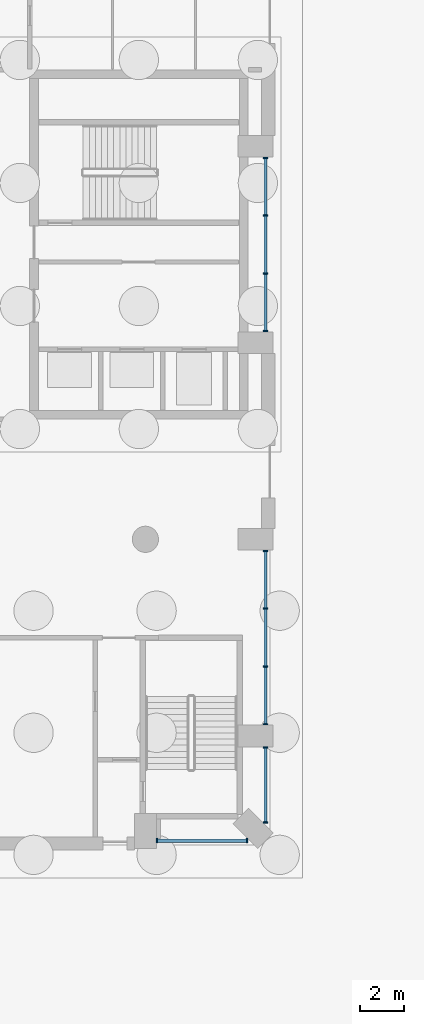
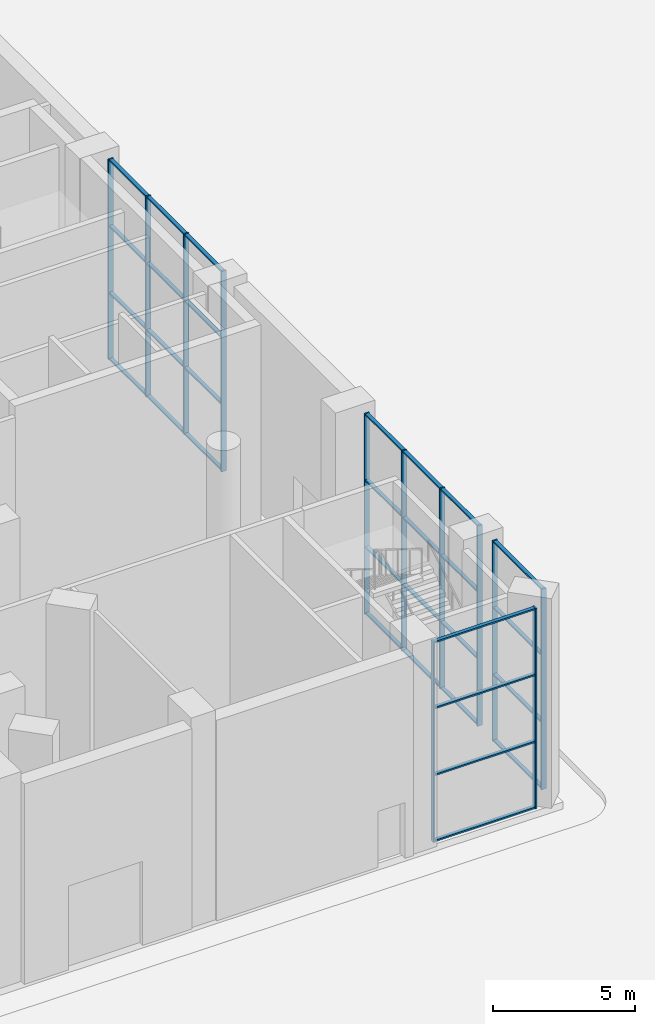
# One storey, part 5 of 25: 44 members, 4 elements without a shape of their own.
"""IFC4 building model written with IfcOpenShell, lengths in metres."""

from ifc_helpers import new_model, si_unit, direction, frame, origin, origin_2d, place, context, subcontext, project, spatial, rectangle, extrude, material, material_profile, profile_set, type_object, element, aggregate, save


model = new_model("IFC4")

# Units and contexts
model_context = context("Model", 3, precision=1e-05, world=origin(), true_north=direction((0.0, 1.0)))
body_context = subcontext(model_context, "Body", "Model", "MODEL_VIEW")
ifc_project = project(units=[si_unit("LENGTHUNIT", "METRE"), si_unit("AREAUNIT", "SQUARE_METRE"), si_unit("VOLUMEUNIT", "CUBIC_METRE"), si_unit("PLANEANGLEUNIT", "RADIAN"), si_unit("MASSUNIT", "GRAM", prefix="KILO")], contexts=[model_context])

# Site, building, storey
site_placement = place(None, origin())
site = spatial("IfcSite", under=ifc_project, at=site_placement, CompositionType="ELEMENT")
building_placement = place(site_placement, origin())
building = spatial("IfcBuilding", under=site, at=building_placement, Name="Cypress Arch Tower", CompositionType="ELEMENT")
storey_placement = place(building_placement, origin())
storey = spatial("IfcBuildingStorey", under=building, at=storey_placement, Name="L00", CompositionType="ELEMENT", Elevation=0.0)

# Curtain wall, members
ifc_material_1 = material(Name="Anodised aluminium, bronze finish, clear laminated low-emissivity double glazing", Category="aluminium")
curtain_wall_type = type_object("IfcCurtainWallType", Name="Curtain wall CW1 ground storefront", PredefinedType="NOTDEFINED", material=ifc_material_1)
curtain_wall_1_placement = place(storey_placement, origin())
curtain_wall_1 = element("IfcCurtainWall", 1, at=curtain_wall_1_placement, inside=storey, type_object=curtain_wall_type, Name="Curtain wall L00 P00.4.1", PredefinedType="NOTDEFINED")
ifc_material_2 = material(Name="Anodised aluminium, bronze finish", Category="aluminium")
ifc_material_profile_1 = material_profile(ifc_material_2, rectangle(XDim=0.199951171875, YDim=0.06494140625, at=origin_2d()), Name="Mullion 65x200")
ifc_profile_set_1 = profile_set([ifc_material_profile_1], Name="Anodised aluminium, bronze finish")
member_type_1 = type_object("IfcMemberType", Name="Mullion CW1 65x200", PredefinedType="MULLION", material=ifc_profile_set_1)
member_1_placement = place(storey_placement, frame((33.83251953125, -27.300048828125, 0.0), z_axis=(0.0, 0.0, 1.0), x_axis=(0.0, 1.0, 0.0)))
member_1 = element("IfcMember", 2, at=member_1_placement, type_object=member_type_1, Name="CW1 mullion 1", PredefinedType="MULLION", context=body_context, shape_type="SweptSolid", body=[
    extrude(rectangle(XDim=0.199951171875, YDim=0.06494140625, at=origin_2d()), origin(), (0.0, 0.0, 1.0), 8.60009765625),
])
member_2_placement = place(storey_placement, frame((37.96044921875, -27.300048828125, 0.0), z_axis=(0.0, 0.0, 1.0), x_axis=(0.0, 1.0, 0.0)))
member_2 = element("IfcMember", 3, at=member_2_placement, type_object=member_type_1, Name="CW1 mullion 2", PredefinedType="MULLION", context=body_context, shape_type="SweptSolid", body=[
    extrude(rectangle(XDim=0.199951171875, YDim=0.06494140625, at=origin_2d()), origin(), (0.0, 0.0, 1.0), 8.60009765625),
])

curtain_wall_2_placement = place(storey_placement, origin())
curtain_wall_2 = element("IfcCurtainWall", 4, at=curtain_wall_2_placement, inside=storey, type_object=curtain_wall_type, Name="Curtain wall L00 P01.0.1", PredefinedType="NOTDEFINED")
member_3_placement = place(storey_placement, frame((38.800048828125, -26.46044921875, 0.0), z_axis=(0.0, 0.0, 1.0), x_axis=(-1.0, 0.0, 0.0)))
member_3 = element("IfcMember", 5, at=member_3_placement, type_object=member_type_1, Name="CW1 mullion 1", PredefinedType="MULLION", context=body_context, shape_type="SweptSolid", body=[
    extrude(rectangle(XDim=0.199951171875, YDim=0.06494140625, at=origin_2d()), origin(), (0.0, 0.0, 1.0), 8.60009765625),
])
member_4_placement = place(storey_placement, frame((38.800048828125, -23.032470703125, 0.0), z_axis=(0.0, 0.0, 1.0), x_axis=(-1.0, 0.0, 0.0)))
member_4 = element("IfcMember", 6, at=member_4_placement, type_object=member_type_1, Name="CW1 mullion 2", PredefinedType="MULLION", context=body_context, shape_type="SweptSolid", body=[
    extrude(rectangle(XDim=0.199951171875, YDim=0.06494140625, at=origin_2d()), origin(), (0.0, 0.0, 1.0), 8.60009765625),
])

curtain_wall_3_placement = place(storey_placement, origin())
curtain_wall_3 = element("IfcCurtainWall", 7, at=curtain_wall_3_placement, inside=storey, type_object=curtain_wall_type, Name="Curtain wall L00 P01.1.1", PredefinedType="NOTDEFINED")
member_5_placement = place(storey_placement, frame((38.800048828125, -21.967529296875, 0.0), z_axis=(0.0, 0.0, 1.0), x_axis=(-1.0, 0.0, 0.0)))
member_5 = element("IfcMember", 8, at=member_5_placement, type_object=member_type_1, Name="CW1 mullion 1", PredefinedType="MULLION", context=body_context, shape_type="SweptSolid", body=[
    extrude(rectangle(XDim=0.199951171875, YDim=0.06494140625, at=origin_2d()), origin(), (0.0, 0.0, 1.0), 8.60009765625),
])
member_6_placement = place(storey_placement, frame((38.800048828125, -19.333251953125, 0.0), z_axis=(0.0, 0.0, 1.0), x_axis=(-1.0, 0.0, 0.0)))
member_6 = element("IfcMember", 9, at=member_6_placement, type_object=member_type_1, Name="CW1 mullion 2", PredefinedType="MULLION", context=body_context, shape_type="SweptSolid", body=[
    extrude(rectangle(XDim=0.199951171875, YDim=0.06494140625, at=origin_2d()), origin(), (0.0, 0.0, 1.0), 8.60009765625),
])
member_7_placement = place(storey_placement, frame((38.800048828125, -16.666748046875, 0.0), z_axis=(0.0, 0.0, 1.0), x_axis=(-1.0, 0.0, 0.0)))
member_7 = element("IfcMember", 10, at=member_7_placement, type_object=member_type_1, Name="CW1 mullion 3", PredefinedType="MULLION", context=body_context, shape_type="SweptSolid", body=[
    extrude(rectangle(XDim=0.199951171875, YDim=0.06494140625, at=origin_2d()), origin(), (0.0, 0.0, 1.0), 8.60009765625),
])
member_8_placement = place(storey_placement, frame((38.800048828125, -14.032470703125, 0.0), z_axis=(0.0, 0.0, 1.0), x_axis=(-1.0, 0.0, 0.0)))
member_8 = element("IfcMember", 11, at=member_8_placement, type_object=member_type_1, Name="CW1 mullion 4", PredefinedType="MULLION", context=body_context, shape_type="SweptSolid", body=[
    extrude(rectangle(XDim=0.199951171875, YDim=0.06494140625, at=origin_2d()), origin(), (0.0, 0.0, 1.0), 8.60009765625),
])

curtain_wall_4_placement = place(storey_placement, origin())
curtain_wall_4 = element("IfcCurtainWall", 12, at=curtain_wall_4_placement, inside=storey, type_object=curtain_wall_type, Name="Curtain wall L00 P01.3.1", PredefinedType="NOTDEFINED")
member_9_placement = place(storey_placement, frame((38.800048828125, -3.967529296875, 0.0), z_axis=(0.0, 0.0, 1.0), x_axis=(-1.0, 0.0, 0.0)))
member_9 = element("IfcMember", 13, at=member_9_placement, type_object=member_type_1, Name="CW1 mullion 1", PredefinedType="MULLION", context=body_context, shape_type="SweptSolid", body=[
    extrude(rectangle(XDim=0.199951171875, YDim=0.06494140625, at=origin_2d()), origin(), (0.0, 0.0, 1.0), 8.60009765625),
])
member_10_placement = place(storey_placement, frame((38.800048828125, -1.333251953125, 0.0), z_axis=(0.0, 0.0, 1.0), x_axis=(-1.0, 0.0, 0.0)))
member_10 = element("IfcMember", 14, at=member_10_placement, type_object=member_type_1, Name="CW1 mullion 2", PredefinedType="MULLION", context=body_context, shape_type="SweptSolid", body=[
    extrude(rectangle(XDim=0.199951171875, YDim=0.06494140625, at=origin_2d()), origin(), (0.0, 0.0, 1.0), 8.60009765625),
])
member_11_placement = place(storey_placement, frame((38.800048828125, 1.333251953125, 0.0), z_axis=(0.0, 0.0, 1.0), x_axis=(-1.0, 0.0, 0.0)))
member_11 = element("IfcMember", 15, at=member_11_placement, type_object=member_type_1, Name="CW1 mullion 3", PredefinedType="MULLION", context=body_context, shape_type="SweptSolid", body=[
    extrude(rectangle(XDim=0.199951171875, YDim=0.06494140625, at=origin_2d()), origin(), (0.0, 0.0, 1.0), 8.60009765625),
])
member_12_placement = place(storey_placement, frame((38.800048828125, 3.967529296875, 0.0), z_axis=(0.0, 0.0, 1.0), x_axis=(-1.0, 0.0, 0.0)))
member_12 = element("IfcMember", 16, at=member_12_placement, type_object=member_type_1, Name="CW1 mullion 4", PredefinedType="MULLION", context=body_context, shape_type="SweptSolid", body=[
    extrude(rectangle(XDim=0.199951171875, YDim=0.06494140625, at=origin_2d()), origin(), (0.0, 0.0, 1.0), 8.60009765625),
])

# Member
ifc_material_3 = material(Name="Anodised aluminium, bronze finish", Category="aluminium")
ifc_material_profile_2 = material_profile(ifc_material_3, rectangle(XDim=0.14990234375, YDim=0.06494140625, at=origin_2d()), Name="Transom 65x150")
ifc_profile_set_2 = profile_set([ifc_material_profile_2], Name="Anodised aluminium, bronze finish")
member_type_2 = type_object("IfcMemberType", Name="Transom CW1 65x150", PredefinedType="USERDEFINED", material=ifc_profile_set_2)
member_13_placement = place(storey_placement, frame((33.864990234375, -27.300048828125, 0.032470703125), z_axis=(1.0, 0.0, 0.0), x_axis=(0.0, 1.0, 0.0)))
member_13 = element("IfcMember", 17, at=member_13_placement, type_object=member_type_2, Name="CW1 transom 1.1", ObjectType="TRANSOM", PredefinedType="USERDEFINED", context=body_context, shape_type="SweptSolid", body=[
    extrude(rectangle(XDim=0.14990234375, YDim=0.06494140625, at=origin_2d()), origin(), (0.0, 0.0, 1.0), 4.06298828125),
])

member_14_placement = place(storey_placement, frame((33.864990234375, -27.300048828125, 2.86669921875), z_axis=(1.0, 0.0, 0.0), x_axis=(0.0, 1.0, 0.0)))
member_14 = element("IfcMember", 18, at=member_14_placement, type_object=member_type_2, Name="CW1 transom 1.2", ObjectType="TRANSOM", PredefinedType="USERDEFINED", context=body_context, shape_type="SweptSolid", body=[
    extrude(rectangle(XDim=0.14990234375, YDim=0.06494140625, at=origin_2d()), origin(), (0.0, 0.0, 1.0), 4.06298828125),
])

member_15_placement = place(storey_placement, frame((33.864990234375, -27.300048828125, 5.7333984375), z_axis=(1.0, 0.0, 0.0), x_axis=(0.0, 1.0, 0.0)))
member_15 = element("IfcMember", 19, at=member_15_placement, type_object=member_type_2, Name="CW1 transom 1.3", ObjectType="TRANSOM", PredefinedType="USERDEFINED", context=body_context, shape_type="SweptSolid", body=[
    extrude(rectangle(XDim=0.14990234375, YDim=0.06494140625, at=origin_2d()), origin(), (0.0, 0.0, 1.0), 4.06298828125),
])

member_16_placement = place(storey_placement, frame((33.864990234375, -27.300048828125, 8.5673828125), z_axis=(1.0, 0.0, 0.0), x_axis=(0.0, 1.0, 0.0)))
member_16 = element("IfcMember", 20, at=member_16_placement, type_object=member_type_2, Name="CW1 transom 1.4", ObjectType="TRANSOM", PredefinedType="USERDEFINED", context=body_context, shape_type="SweptSolid", body=[
    extrude(rectangle(XDim=0.14990234375, YDim=0.06494140625, at=origin_2d()), origin(), (0.0, 0.0, 1.0), 4.06298828125),
])

aggregate(curtain_wall_1, [member_1, member_2, member_13, member_14, member_15, member_16])

member_17_placement = place(storey_placement, frame((38.800048828125, -26.427978515625, 0.032470703125), z_axis=(0.0, 1.0, 0.0), x_axis=(-1.0, 0.0, 0.0)))
member_17 = element("IfcMember", 21, at=member_17_placement, type_object=member_type_2, Name="CW1 transom 1.1", ObjectType="TRANSOM", PredefinedType="USERDEFINED", context=body_context, shape_type="SweptSolid", body=[
    extrude(rectangle(XDim=0.14990234375, YDim=0.06494140625, at=origin_2d()), origin(), (0.0, 0.0, 1.0), 3.363037109375),
])

member_18_placement = place(storey_placement, frame((38.800048828125, -26.427978515625, 2.86669921875), z_axis=(0.0, 1.0, 0.0), x_axis=(-1.0, 0.0, 0.0)))
member_18 = element("IfcMember", 22, at=member_18_placement, type_object=member_type_2, Name="CW1 transom 1.2", ObjectType="TRANSOM", PredefinedType="USERDEFINED", context=body_context, shape_type="SweptSolid", body=[
    extrude(rectangle(XDim=0.14990234375, YDim=0.06494140625, at=origin_2d()), origin(), (0.0, 0.0, 1.0), 3.363037109375),
])

member_19_placement = place(storey_placement, frame((38.800048828125, -26.427978515625, 5.7333984375), z_axis=(0.0, 1.0, 0.0), x_axis=(-1.0, 0.0, 0.0)))
member_19 = element("IfcMember", 23, at=member_19_placement, type_object=member_type_2, Name="CW1 transom 1.3", ObjectType="TRANSOM", PredefinedType="USERDEFINED", context=body_context, shape_type="SweptSolid", body=[
    extrude(rectangle(XDim=0.14990234375, YDim=0.06494140625, at=origin_2d()), origin(), (0.0, 0.0, 1.0), 3.363037109375),
])

member_20_placement = place(storey_placement, frame((38.800048828125, -26.427978515625, 8.5673828125), z_axis=(0.0, 1.0, 0.0), x_axis=(-1.0, 0.0, 0.0)))
member_20 = element("IfcMember", 24, at=member_20_placement, type_object=member_type_2, Name="CW1 transom 1.4", ObjectType="TRANSOM", PredefinedType="USERDEFINED", context=body_context, shape_type="SweptSolid", body=[
    extrude(rectangle(XDim=0.14990234375, YDim=0.06494140625, at=origin_2d()), origin(), (0.0, 0.0, 1.0), 3.363037109375),
])

aggregate(curtain_wall_2, [member_3, member_4, member_17, member_18, member_19, member_20])

member_21_placement = place(storey_placement, frame((38.800048828125, -21.93505859375, 0.032470703125), z_axis=(0.0, 1.0, 0.0), x_axis=(-1.0, 0.0, 0.0)))
member_21 = element("IfcMember", 25, at=member_21_placement, type_object=member_type_2, Name="CW1 transom 1.1", ObjectType="TRANSOM", PredefinedType="USERDEFINED", context=body_context, shape_type="SweptSolid", body=[
    extrude(rectangle(XDim=0.14990234375, YDim=0.06494140625, at=origin_2d()), origin(), (0.0, 0.0, 1.0), 2.5693359375),
])

member_22_placement = place(storey_placement, frame((38.800048828125, -21.93505859375, 2.86669921875), z_axis=(0.0, 1.0, 0.0), x_axis=(-1.0, 0.0, 0.0)))
member_22 = element("IfcMember", 26, at=member_22_placement, type_object=member_type_2, Name="CW1 transom 1.2", ObjectType="TRANSOM", PredefinedType="USERDEFINED", context=body_context, shape_type="SweptSolid", body=[
    extrude(rectangle(XDim=0.14990234375, YDim=0.06494140625, at=origin_2d()), origin(), (0.0, 0.0, 1.0), 2.5693359375),
])

member_23_placement = place(storey_placement, frame((38.800048828125, -21.93505859375, 5.7333984375), z_axis=(0.0, 1.0, 0.0), x_axis=(-1.0, 0.0, 0.0)))
member_23 = element("IfcMember", 27, at=member_23_placement, type_object=member_type_2, Name="CW1 transom 1.3", ObjectType="TRANSOM", PredefinedType="USERDEFINED", context=body_context, shape_type="SweptSolid", body=[
    extrude(rectangle(XDim=0.14990234375, YDim=0.06494140625, at=origin_2d()), origin(), (0.0, 0.0, 1.0), 2.5693359375),
])

member_24_placement = place(storey_placement, frame((38.800048828125, -21.93505859375, 8.5673828125), z_axis=(0.0, 1.0, 0.0), x_axis=(-1.0, 0.0, 0.0)))
member_24 = element("IfcMember", 28, at=member_24_placement, type_object=member_type_2, Name="CW1 transom 1.4", ObjectType="TRANSOM", PredefinedType="USERDEFINED", context=body_context, shape_type="SweptSolid", body=[
    extrude(rectangle(XDim=0.14990234375, YDim=0.06494140625, at=origin_2d()), origin(), (0.0, 0.0, 1.0), 2.5693359375),
])

member_25_placement = place(storey_placement, frame((38.800048828125, -19.30078125, 0.032470703125), z_axis=(0.0, 1.0, 0.0), x_axis=(-1.0, 0.0, 0.0)))
member_25 = element("IfcMember", 29, at=member_25_placement, type_object=member_type_2, Name="CW1 transom 2.1", ObjectType="TRANSOM", PredefinedType="USERDEFINED", context=body_context, shape_type="SweptSolid", body=[
    extrude(rectangle(XDim=0.14990234375, YDim=0.06494140625, at=origin_2d()), origin(), (0.0, 0.0, 1.0), 2.6015625),
])

member_26_placement = place(storey_placement, frame((38.800048828125, -19.30078125, 2.86669921875), z_axis=(0.0, 1.0, 0.0), x_axis=(-1.0, 0.0, 0.0)))
member_26 = element("IfcMember", 30, at=member_26_placement, type_object=member_type_2, Name="CW1 transom 2.2", ObjectType="TRANSOM", PredefinedType="USERDEFINED", context=body_context, shape_type="SweptSolid", body=[
    extrude(rectangle(XDim=0.14990234375, YDim=0.06494140625, at=origin_2d()), origin(), (0.0, 0.0, 1.0), 2.6015625),
])

member_27_placement = place(storey_placement, frame((38.800048828125, -19.30078125, 5.7333984375), z_axis=(0.0, 1.0, 0.0), x_axis=(-1.0, 0.0, 0.0)))
member_27 = element("IfcMember", 31, at=member_27_placement, type_object=member_type_2, Name="CW1 transom 2.3", ObjectType="TRANSOM", PredefinedType="USERDEFINED", context=body_context, shape_type="SweptSolid", body=[
    extrude(rectangle(XDim=0.14990234375, YDim=0.06494140625, at=origin_2d()), origin(), (0.0, 0.0, 1.0), 2.6015625),
])

member_28_placement = place(storey_placement, frame((38.800048828125, -19.30078125, 8.5673828125), z_axis=(0.0, 1.0, 0.0), x_axis=(-1.0, 0.0, 0.0)))
member_28 = element("IfcMember", 32, at=member_28_placement, type_object=member_type_2, Name="CW1 transom 2.4", ObjectType="TRANSOM", PredefinedType="USERDEFINED", context=body_context, shape_type="SweptSolid", body=[
    extrude(rectangle(XDim=0.14990234375, YDim=0.06494140625, at=origin_2d()), origin(), (0.0, 0.0, 1.0), 2.6015625),
])

member_29_placement = place(storey_placement, frame((38.800048828125, -16.63427734375, 0.032470703125), z_axis=(0.0, 1.0, 0.0), x_axis=(-1.0, 0.0, 0.0)))
member_29 = element("IfcMember", 33, at=member_29_placement, type_object=member_type_2, Name="CW1 transom 3.1", ObjectType="TRANSOM", PredefinedType="USERDEFINED", context=body_context, shape_type="SweptSolid", body=[
    extrude(rectangle(XDim=0.14990234375, YDim=0.06494140625, at=origin_2d()), origin(), (0.0, 0.0, 1.0), 2.5693359375),
])

member_30_placement = place(storey_placement, frame((38.800048828125, -16.63427734375, 2.86669921875), z_axis=(0.0, 1.0, 0.0), x_axis=(-1.0, 0.0, 0.0)))
member_30 = element("IfcMember", 34, at=member_30_placement, type_object=member_type_2, Name="CW1 transom 3.2", ObjectType="TRANSOM", PredefinedType="USERDEFINED", context=body_context, shape_type="SweptSolid", body=[
    extrude(rectangle(XDim=0.14990234375, YDim=0.06494140625, at=origin_2d()), origin(), (0.0, 0.0, 1.0), 2.5693359375),
])

member_31_placement = place(storey_placement, frame((38.800048828125, -16.63427734375, 5.7333984375), z_axis=(0.0, 1.0, 0.0), x_axis=(-1.0, 0.0, 0.0)))
member_31 = element("IfcMember", 35, at=member_31_placement, type_object=member_type_2, Name="CW1 transom 3.3", ObjectType="TRANSOM", PredefinedType="USERDEFINED", context=body_context, shape_type="SweptSolid", body=[
    extrude(rectangle(XDim=0.14990234375, YDim=0.06494140625, at=origin_2d()), origin(), (0.0, 0.0, 1.0), 2.5693359375),
])

member_32_placement = place(storey_placement, frame((38.800048828125, -16.63427734375, 8.5673828125), z_axis=(0.0, 1.0, 0.0), x_axis=(-1.0, 0.0, 0.0)))
member_32 = element("IfcMember", 36, at=member_32_placement, type_object=member_type_2, Name="CW1 transom 3.4", ObjectType="TRANSOM", PredefinedType="USERDEFINED", context=body_context, shape_type="SweptSolid", body=[
    extrude(rectangle(XDim=0.14990234375, YDim=0.06494140625, at=origin_2d()), origin(), (0.0, 0.0, 1.0), 2.5693359375),
])

aggregate(curtain_wall_3, [member_5, member_6, member_7, member_8, member_21, member_22, member_23, member_24, member_25, member_26, member_27, member_28, member_29, member_30, member_31, member_32])

member_33_placement = place(storey_placement, frame((38.800048828125, -3.93505859375, 0.032470703125), z_axis=(0.0, 1.0, 0.0), x_axis=(-1.0, 0.0, 0.0)))
member_33 = element("IfcMember", 37, at=member_33_placement, type_object=member_type_2, Name="CW1 transom 1.1", ObjectType="TRANSOM", PredefinedType="USERDEFINED", context=body_context, shape_type="SweptSolid", body=[
    extrude(rectangle(XDim=0.14990234375, YDim=0.06494140625, at=origin_2d()), origin(), (0.0, 0.0, 1.0), 2.5693359375),
])

member_34_placement = place(storey_placement, frame((38.800048828125, -3.93505859375, 2.86669921875), z_axis=(0.0, 1.0, 0.0), x_axis=(-1.0, 0.0, 0.0)))
member_34 = element("IfcMember", 38, at=member_34_placement, type_object=member_type_2, Name="CW1 transom 1.2", ObjectType="TRANSOM", PredefinedType="USERDEFINED", context=body_context, shape_type="SweptSolid", body=[
    extrude(rectangle(XDim=0.14990234375, YDim=0.06494140625, at=origin_2d()), origin(), (0.0, 0.0, 1.0), 2.5693359375),
])

member_35_placement = place(storey_placement, frame((38.800048828125, -3.93505859375, 5.7333984375), z_axis=(0.0, 1.0, 0.0), x_axis=(-1.0, 0.0, 0.0)))
member_35 = element("IfcMember", 39, at=member_35_placement, type_object=member_type_2, Name="CW1 transom 1.3", ObjectType="TRANSOM", PredefinedType="USERDEFINED", context=body_context, shape_type="SweptSolid", body=[
    extrude(rectangle(XDim=0.14990234375, YDim=0.06494140625, at=origin_2d()), origin(), (0.0, 0.0, 1.0), 2.5693359375),
])

member_36_placement = place(storey_placement, frame((38.800048828125, -3.93505859375, 8.5673828125), z_axis=(0.0, 1.0, 0.0), x_axis=(-1.0, 0.0, 0.0)))
member_36 = element("IfcMember", 40, at=member_36_placement, type_object=member_type_2, Name="CW1 transom 1.4", ObjectType="TRANSOM", PredefinedType="USERDEFINED", context=body_context, shape_type="SweptSolid", body=[
    extrude(rectangle(XDim=0.14990234375, YDim=0.06494140625, at=origin_2d()), origin(), (0.0, 0.0, 1.0), 2.5693359375),
])

member_37_placement = place(storey_placement, frame((38.800048828125, -1.30078125, 0.032470703125), z_axis=(0.0, 1.0, 0.0), x_axis=(-1.0, 0.0, 0.0)))
member_37 = element("IfcMember", 41, at=member_37_placement, type_object=member_type_2, Name="CW1 transom 2.1", ObjectType="TRANSOM", PredefinedType="USERDEFINED", context=body_context, shape_type="SweptSolid", body=[
    extrude(rectangle(XDim=0.14990234375, YDim=0.06494140625, at=origin_2d()), origin(), (0.0, 0.0, 1.0), 2.6015625),
])

member_38_placement = place(storey_placement, frame((38.800048828125, -1.30078125, 2.86669921875), z_axis=(0.0, 1.0, 0.0), x_axis=(-1.0, 0.0, 0.0)))
member_38 = element("IfcMember", 42, at=member_38_placement, type_object=member_type_2, Name="CW1 transom 2.2", ObjectType="TRANSOM", PredefinedType="USERDEFINED", context=body_context, shape_type="SweptSolid", body=[
    extrude(rectangle(XDim=0.14990234375, YDim=0.06494140625, at=origin_2d()), origin(), (0.0, 0.0, 1.0), 2.6015625),
])

member_39_placement = place(storey_placement, frame((38.800048828125, -1.30078125, 5.7333984375), z_axis=(0.0, 1.0, 0.0), x_axis=(-1.0, 0.0, 0.0)))
member_39 = element("IfcMember", 43, at=member_39_placement, type_object=member_type_2, Name="CW1 transom 2.3", ObjectType="TRANSOM", PredefinedType="USERDEFINED", context=body_context, shape_type="SweptSolid", body=[
    extrude(rectangle(XDim=0.14990234375, YDim=0.06494140625, at=origin_2d()), origin(), (0.0, 0.0, 1.0), 2.6015625),
])

member_40_placement = place(storey_placement, frame((38.800048828125, -1.30078125, 8.5673828125), z_axis=(0.0, 1.0, 0.0), x_axis=(-1.0, 0.0, 0.0)))
member_40 = element("IfcMember", 44, at=member_40_placement, type_object=member_type_2, Name="CW1 transom 2.4", ObjectType="TRANSOM", PredefinedType="USERDEFINED", context=body_context, shape_type="SweptSolid", body=[
    extrude(rectangle(XDim=0.14990234375, YDim=0.06494140625, at=origin_2d()), origin(), (0.0, 0.0, 1.0), 2.6015625),
])

member_41_placement = place(storey_placement, frame((38.800048828125, 1.36572265625, 0.032470703125), z_axis=(0.0, 1.0, 0.0), x_axis=(-1.0, 0.0, 0.0)))
member_41 = element("IfcMember", 45, at=member_41_placement, type_object=member_type_2, Name="CW1 transom 3.1", ObjectType="TRANSOM", PredefinedType="USERDEFINED", context=body_context, shape_type="SweptSolid", body=[
    extrude(rectangle(XDim=0.14990234375, YDim=0.06494140625, at=origin_2d()), origin(), (0.0, 0.0, 1.0), 2.5693359375),
])

member_42_placement = place(storey_placement, frame((38.800048828125, 1.36572265625, 2.86669921875), z_axis=(0.0, 1.0, 0.0), x_axis=(-1.0, 0.0, 0.0)))
member_42 = element("IfcMember", 46, at=member_42_placement, type_object=member_type_2, Name="CW1 transom 3.2", ObjectType="TRANSOM", PredefinedType="USERDEFINED", context=body_context, shape_type="SweptSolid", body=[
    extrude(rectangle(XDim=0.14990234375, YDim=0.06494140625, at=origin_2d()), origin(), (0.0, 0.0, 1.0), 2.5693359375),
])

member_43_placement = place(storey_placement, frame((38.800048828125, 1.36572265625, 5.7333984375), z_axis=(0.0, 1.0, 0.0), x_axis=(-1.0, 0.0, 0.0)))
member_43 = element("IfcMember", 47, at=member_43_placement, type_object=member_type_2, Name="CW1 transom 3.3", ObjectType="TRANSOM", PredefinedType="USERDEFINED", context=body_context, shape_type="SweptSolid", body=[
    extrude(rectangle(XDim=0.14990234375, YDim=0.06494140625, at=origin_2d()), origin(), (0.0, 0.0, 1.0), 2.5693359375),
])

member_44_placement = place(storey_placement, frame((38.800048828125, 1.36572265625, 8.5673828125), z_axis=(0.0, 1.0, 0.0), x_axis=(-1.0, 0.0, 0.0)))
member_44 = element("IfcMember", 48, at=member_44_placement, type_object=member_type_2, Name="CW1 transom 3.4", ObjectType="TRANSOM", PredefinedType="USERDEFINED", context=body_context, shape_type="SweptSolid", body=[
    extrude(rectangle(XDim=0.14990234375, YDim=0.06494140625, at=origin_2d()), origin(), (0.0, 0.0, 1.0), 2.5693359375),
])

aggregate(curtain_wall_4, [member_9, member_10, member_11, member_12, member_33, member_34, member_35, member_36, member_37, member_38, member_39, member_40, member_41, member_42, member_43, member_44])

save(model, "model.ifc")
